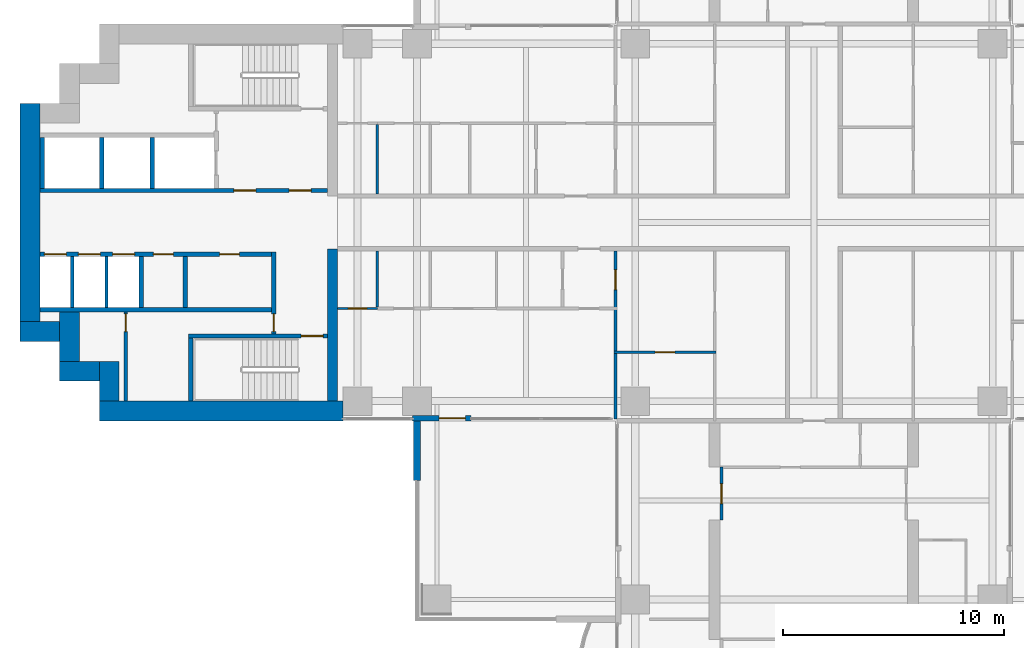
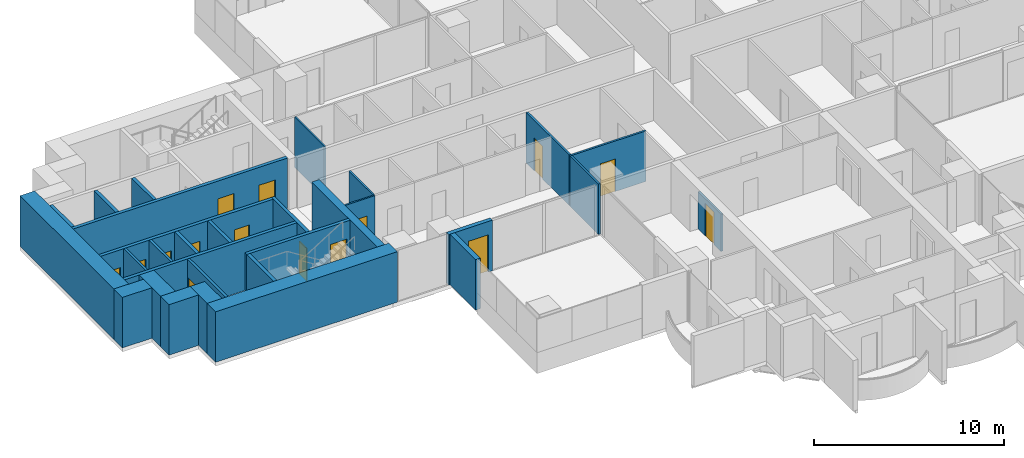
# One storey, part 10 of 20: 29 walls, 15 doors, 15 openings.
"""IFC4 building model written with IfcOpenShell, lengths in metres."""

from ifc_helpers import new_model, si_unit, direction, frame, frame_2d, origin, place, context, subcontext, project, spatial, rectangle, extrude, material, layer, layer_set, type_object, element, fill, save


model = new_model("IFC4")

# Units and contexts
model_context = context("Model", 3, precision=1e-05, world=origin(), true_north=direction((0.0, 1.0)))
body_context = subcontext(model_context, "Body", "Model", "MODEL_VIEW")
ifc_project = project(units=[si_unit("LENGTHUNIT", "METRE"), si_unit("AREAUNIT", "SQUARE_METRE"), si_unit("VOLUMEUNIT", "CUBIC_METRE"), si_unit("PLANEANGLEUNIT", "RADIAN"), si_unit("MASSUNIT", "GRAM", prefix="KILO")], contexts=[model_context])

# Site, building, storey
site_placement = place(None, origin())
site = spatial("IfcSite", under=ifc_project, at=site_placement, CompositionType="ELEMENT")
building_placement = place(site_placement, origin())
building = spatial("IfcBuilding", under=site, at=building_placement, Name="Perihelion Cross Residences", CompositionType="ELEMENT")
storey_placement = place(building_placement, frame((0.0, 0.0, 71.5)))
storey = spatial("IfcBuildingStorey", under=building, at=storey_placement, Name="L15", CompositionType="ELEMENT", Elevation=71.5)

# Wall, opening, door
ifc_material_1 = material(Name="Concrete C30/37, bronze-clad", Category="concrete")
ifc_layer_1 = layer(ifc_material_1, 0.25)
ifc_layer_set_1 = layer_set([ifc_layer_1], Name="Bronze-clad pier wall 250")
wall_type_1 = type_object("IfcWallType", Name="Bronze-clad pier wall 250", PredefinedType="SOLIDWALL", material=ifc_layer_set_1)
wall_1_placement = place(storey_placement, frame((-18.199951171875, -8.875, 0.0), z_axis=(0.0, 0.0, 1.0), x_axis=(1.0, 0.0, 0.0)))
wall_1 = element("IfcWall", 1, at=wall_1_placement, inside=storey, type_object=wall_type_1, Name="Wall FW1 L15 west side south bay 2 pier", PredefinedType="SOLIDWALL", context=body_context, shape_type="SweptSolid", body=[
    extrude(rectangle(XDim=2.64990234375, YDim=0.25, at=frame_2d((1.324951171875, 0.0))), origin(), (0.0, 0.0, 1.0), 3.25),
])
opening_1_placement = place(wall_1_placement, frame((1.199951171875, 0.0, 0.0)))
opening_1 = element("IfcOpeningElement", 2, at=opening_1_placement, cuts=wall_1, Name="Opening L15.E09", PredefinedType="OPENING", context=body_context, shape_type="SweptSolid", body=[
    extrude(rectangle(XDim=1.199951171875, YDim=2.39990234375, at=frame_2d((0.60009765625, 1.199951171875))), frame((0.0, 0.135009765625, 0.0), z_axis=(0.0, -1.0, 0.0), x_axis=(1.0, 0.0, 0.0)), (0.0, 0.0, 1.0), 0.27001953125),
])
ifc_material_2 = material(Name="Bronze anodised aluminium, glazed", Category="aluminium")
door_type_1 = type_object("IfcDoorType", Name="Balcony door 1200 x 2400", OperationType="NOTDEFINED", PredefinedType="DOOR", material=ifc_material_2)
door_1_placement = place(opening_1_placement, origin())
door_1 = element("IfcDoor", 3, at=door_1_placement, inside=storey, type_object=door_type_1, Name="Door L15.E09 west side south bay 2", OperationType="SINGLE_SWING_RIGHT", OverallHeight=2.39990234375, OverallWidth=1.199951171875, PredefinedType="DOOR", context=body_context, shape_type="SweptSolid", body=[
    extrude(rectangle(XDim=1.199951171875, YDim=2.39990234375, at=frame_2d((0.60009765625, 1.199951171875))), frame((0.0, 0.02490234375, 0.0), z_axis=(0.0, -1.0, 0.0), x_axis=(1.0, 0.0, 0.0)), (0.0, 0.0, 1.0), 0.050048828125),
])
fill(opening_1, door_1)

# Walls
ifc_material_3 = material(Name="Concrete C60/75", Category="concrete")
ifc_layer_2 = layer(ifc_material_3, 0.449951171875)
ifc_layer_set_2 = layer_set([ifc_layer_2], Name="Core wall, inner 450")
wall_type_2 = type_object("IfcWallType", Name="Core wall, inner 450", PredefinedType="SHEAR", material=ifc_layer_set_2)
wall_2_placement = place(storey_placement, frame((-21.824951171875, -8.10009765625, 0.0), z_axis=(0.0, 0.0, 1.0), x_axis=(0.0, 1.0, 0.0)))
element("IfcWall", 4, at=wall_2_placement, inside=storey, type_object=wall_type_2, Name="West core core wall, inner", PredefinedType="SHEAR", context=body_context, shape_type="SweptSolid", body=[
    extrude(rectangle(XDim=6.900146484375, YDim=0.449951171875, at=frame_2d((3.4501953125, 0.0))), origin(), (0.0, 0.0, 1.0), 3.25),
])
ifc_material_4 = material(Name="Concrete C60/75", Category="concrete")
ifc_layer_3 = layer(ifc_material_4, 0.89990234375)
ifc_layer_set_3 = layer_set([ifc_layer_3], Name="Core wall, outer 900")
wall_type_3 = type_object("IfcWallType", Name="Core wall, outer 900", PredefinedType="SHEAR", material=ifc_layer_set_3)
wall_3_placement = place(storey_placement, frame((-32.39990234375, -8.550048828125, 0.0), z_axis=(0.0, 0.0, 1.0), x_axis=(1.0, 0.0, 0.0)))
element("IfcWall", 5, at=wall_3_placement, inside=storey, type_object=wall_type_3, Name="West core core wall, outer", PredefinedType="SHEAR", context=body_context, shape_type="SweptSolid", body=[
    extrude(rectangle(XDim=11.0498046875, YDim=0.89990234375, at=frame_2d((5.52490234375, 0.0))), origin(), (0.0, 0.0, 1.0), 3.25),
])
for number, where, z_axis, x_axis, name in (
    (6, (-31.949951171875, -8.10009765625, 0.0), (0.0, 0.0, 1.0), (0.0, 1.0, 0.0), "West core core wall, outer"),
    (7, (-34.199951171875, -6.75, 0.0), (0.0, 0.0, 1.0), (1.0, 0.0, 0.0), "West core core wall, outer"),
):
    element("IfcWall", number, at=place(storey_placement, frame(where, z_axis=z_axis, x_axis=x_axis)), inside=storey, type_object=wall_type_3, Name=name, PredefinedType="SHEAR", context=body_context, shape_type="SweptSolid", body=[
        extrude(rectangle(XDim=1.800048828125, YDim=0.89990234375, at=frame_2d((0.89990234375, 0.0))), origin(), (0.0, 0.0, 1.0), 3.25),
    ])
wall_4_placement = place(storey_placement, frame((-33.75, -6.300048828125, 0.0), z_axis=(0.0, 0.0, 1.0), x_axis=(0.0, 1.0, 0.0)))
element("IfcWall", 8, at=wall_4_placement, inside=storey, type_object=wall_type_3, Name="West core core wall, outer", PredefinedType="SHEAR", context=body_context, shape_type="SweptSolid", body=[
    extrude(rectangle(XDim=2.25, YDim=0.89990234375, at=frame_2d((1.125, 0.0))), origin(), (0.0, 0.0, 1.0), 3.25),
])
wall_5_placement = place(storey_placement, frame((-36.0, -4.949951171875, 0.0), z_axis=(0.0, 0.0, 1.0), x_axis=(1.0, 0.0, 0.0)))
element("IfcWall", 9, at=wall_5_placement, inside=storey, type_object=wall_type_3, Name="West core core wall, outer", PredefinedType="SHEAR", context=body_context, shape_type="SweptSolid", body=[
    extrude(rectangle(XDim=1.800048828125, YDim=0.89990234375, at=frame_2d((0.89990234375, 0.0))), origin(), (0.0, 0.0, 1.0), 3.25),
])
wall_6_placement = place(storey_placement, frame((-35.550048828125, -4.5, 0.0), z_axis=(0.0, 0.0, 1.0), x_axis=(0.0, 1.0, 0.0)))
element("IfcWall", 10, at=wall_6_placement, inside=storey, type_object=wall_type_3, Name="West core core wall, outer", PredefinedType="SHEAR", context=body_context, shape_type="SweptSolid", body=[
    extrude(rectangle(XDim=9.89990234375, YDim=0.89990234375, at=frame_2d((4.949951171875, 0.0))), origin(), (0.0, 0.0, 1.0), 3.25),
])

# Wall, opening, door
ifc_material_5 = material(Name="Plasterboard partition")
ifc_layer_4 = layer(ifc_material_5, 0.1201171875)
ifc_layer_set_4 = layer_set([ifc_layer_4], Name="Infill panel 120")
wall_type_4 = type_object("IfcWallType", Name="Infill panel 120", PredefinedType="PARTITIONING", material=ifc_layer_set_4)
wall_7_placement = place(storey_placement, frame((-4.18994140625, -11.10009765625, 0.0), z_axis=(0.0, 0.0, 1.0), x_axis=(0.0, -1.0, 0.0)))
wall_7 = element("IfcWall", 11, at=wall_7_placement, inside=storey, type_object=wall_type_4, Name="Partition L15 WI07", PredefinedType="PARTITIONING", context=body_context, shape_type="SweptSolid", body=[
    extrude(rectangle(XDim=2.39990234375, YDim=0.1201171875, at=frame_2d((1.199951171875, 0.0))), origin(), (0.0, 0.0, 1.0), 2.39990234375),
])
opening_2_placement = place(wall_7_placement, frame((0.75, 0.0, 0.0)))
opening_2 = element("IfcOpeningElement", 12, at=opening_2_placement, cuts=wall_7, Name="Opening L15.A56", PredefinedType="OPENING", context=body_context, shape_type="SweptSolid", body=[
    extrude(rectangle(XDim=0.89990234375, YDim=2.10009765625, at=frame_2d((0.449951171875, 1.050048828125))), frame((0.0, 0.070068359375, 0.0), z_axis=(0.0, -1.0, 0.0), x_axis=(1.0, 0.0, 0.0)), (0.0, 0.0, 1.0), 0.14013671875),
])
ifc_material_6 = material(Name="Timber door leaf", Category="wood")
door_type_2 = type_object("IfcDoorType", Name="Interior room door 900 x 2100", OperationType="SINGLE_SWING_LEFT", PredefinedType="DOOR", material=ifc_material_6)
door_2_placement = place(opening_2_placement, origin())
door_2 = element("IfcDoor", 13, at=door_2_placement, inside=storey, type_object=door_type_2, Name="Door L15.A56", OperationType="SINGLE_SWING_RIGHT", OverallHeight=2.10009765625, OverallWidth=0.89990234375, PredefinedType="DOOR", context=body_context, shape_type="SweptSolid", body=[
    extrude(rectangle(XDim=0.89990234375, YDim=2.10009765625, at=frame_2d((0.449951171875, 1.050048828125))), frame((0.0, 0.02490234375, 0.0), z_axis=(0.0, -1.0, 0.0), x_axis=(1.0, 0.0, 0.0)), (0.0, 0.0, 1.0), 0.050048828125),
])
fill(opening_2, door_2)

ifc_material_7 = material(Name="Concrete C50/60", Category="concrete")
ifc_layer_5 = layer(ifc_material_7, 0.199951171875)
ifc_layer_set_5 = layer_set([ifc_layer_5], Name="Lobby wall 200")
wall_type_5 = type_object("IfcWallType", Name="Lobby wall 200", PredefinedType="SOLIDWALL", material=ifc_layer_set_5)
wall_8_placement = place(storey_placement, frame((-24.5, -5.050048828125, 0.0), z_axis=(0.0, 0.0, 1.0), x_axis=(0.0, 1.0, 0.0)))
wall_8 = element("IfcWall", 14, at=wall_8_placement, inside=storey, type_object=wall_type_5, Name="West core lobby wall", PredefinedType="SOLIDWALL", context=body_context, shape_type="SweptSolid", body=[
    extrude(rectangle(XDim=3.699951171875, YDim=0.199951171875, at=frame_2d((1.85009765625, 0.0))), origin(), (0.0, 0.0, 1.0), 3.25),
])
opening_3_placement = place(wall_8_placement, frame((0.10009765625, 0.0, 0.0)))
opening_3 = element("IfcOpeningElement", 15, at=opening_3_placement, cuts=wall_8, Name="Opening L15.C21", PredefinedType="OPENING", context=body_context, shape_type="SweptSolid", body=[
    extrude(rectangle(XDim=0.800048828125, YDim=2.10009765625, at=frame_2d((0.39990234375, 1.050048828125))), frame((0.0, 0.10986328125, 0.0), z_axis=(0.0, -1.0, 0.0), x_axis=(1.0, 0.0, 0.0)), (0.0, 0.0, 1.0), 0.219970703125),
])
ifc_material_8 = material(Name="Steel, powder coated", Category="steel")
door_type_3 = type_object("IfcDoorType", Name="Riser door 800", OperationType="SINGLE_SWING_LEFT", PredefinedType="DOOR", material=ifc_material_8)
door_3_placement = place(opening_3_placement, origin())
door_3 = element("IfcDoor", 16, at=door_3_placement, inside=storey, type_object=door_type_3, Name="West core riser door", OperationType="SINGLE_SWING_LEFT", OverallHeight=2.10009765625, OverallWidth=0.800048828125, PredefinedType="DOOR", context=body_context, shape_type="SweptSolid", body=[
    extrude(rectangle(XDim=0.800048828125, YDim=2.10009765625, at=frame_2d((0.39990234375, 1.050048828125))), frame((0.0, 0.02490234375, 0.0), z_axis=(0.0, -1.0, 0.0), x_axis=(1.0, 0.0, 0.0)), (0.0, 0.0, 1.0), 0.050048828125),
])
fill(opening_3, door_3)

ifc_material_9 = material(Name="Plasterboard partition")
ifc_layer_6 = layer(ifc_material_9, 0.1201171875)
ifc_layer_set_6 = layer_set([ifc_layer_6], Name="Partition wall 120")
wall_type_6 = type_object("IfcWallType", Name="Partition wall 120", PredefinedType="PARTITIONING", material=ifc_layer_set_6)
wall_9_placement = place(storey_placement, frame((-9.0, -1.300048828125, 0.0), z_axis=(0.0, 0.0, 1.0), x_axis=(0.0, -1.0, 0.0)))
wall_9 = element("IfcWall", 17, at=wall_9_placement, inside=storey, type_object=wall_type_6, Name="Partition L15 W044", PredefinedType="PARTITIONING", context=body_context, shape_type="SweptSolid", body=[
    extrude(rectangle(XDim=7.619873046875, YDim=0.1201171875, at=frame_2d((3.81005859375, 0.0))), origin(), (0.0, 0.0, 1.0), 3.25),
])
opening_4_placement = place(wall_9_placement, frame((0.85009765625, 0.0, 0.0)))
opening_4 = element("IfcOpeningElement", 18, at=opening_4_placement, cuts=wall_9, Name="Opening L15.A26", PredefinedType="OPENING", context=body_context, shape_type="SweptSolid", body=[
    extrude(rectangle(XDim=0.89990234375, YDim=2.10009765625, at=frame_2d((0.449951171875, 1.050048828125))), frame((0.0, 0.070068359375, 0.0), z_axis=(0.0, -1.0, 0.0), x_axis=(1.0, 0.0, 0.0)), (0.0, 0.0, 1.0), 0.14013671875),
])
door_4_placement = place(opening_4_placement, origin())
door_4 = element("IfcDoor", 19, at=door_4_placement, inside=storey, type_object=door_type_2, Name="Door L15.A26", OperationType="SINGLE_SWING_RIGHT", OverallHeight=2.10009765625, OverallWidth=0.89990234375, PredefinedType="DOOR", context=body_context, shape_type="SweptSolid", body=[
    extrude(rectangle(XDim=0.89990234375, YDim=2.10009765625, at=frame_2d((0.449951171875, 1.050048828125))), frame((0.0, 0.02490234375, 0.0), z_axis=(0.0, -1.0, 0.0), x_axis=(1.0, 0.0, 0.0)), (0.0, 0.0, 1.0), 0.050048828125),
])
fill(opening_4, door_4)

wall_10_placement = place(storey_placement, frame((-4.43994140625, -5.8798828125, 0.0), z_axis=(0.0, 0.0, 1.0), x_axis=(-1.0, 0.0, 0.0)))
wall_10 = element("IfcWall", 20, at=wall_10_placement, inside=storey, type_object=wall_type_6, Name="Partition L15 W051", PredefinedType="PARTITIONING", context=body_context, shape_type="SweptSolid", body=[
    extrude(rectangle(XDim=4.6201171875, YDim=0.1201171875, at=frame_2d((2.31005859375, 0.0))), origin(), (0.0, 0.0, 1.0), 3.25),
])
opening_5_placement = place(wall_10_placement, frame((1.860107421875, 0.0, 0.0)))
opening_5 = element("IfcOpeningElement", 21, at=opening_5_placement, cuts=wall_10, Name="Opening L15.A28", PredefinedType="OPENING", context=body_context, shape_type="SweptSolid", body=[
    extrude(rectangle(XDim=0.89990234375, YDim=2.10009765625, at=frame_2d((0.449951171875, 1.050048828125))), frame((0.0, 0.070068359375, 0.0), z_axis=(0.0, -1.0, 0.0), x_axis=(1.0, 0.0, 0.0)), (0.0, 0.0, 1.0), 0.14013671875),
])
door_5_placement = place(opening_5_placement, origin())
door_5 = element("IfcDoor", 22, at=door_5_placement, inside=storey, type_object=door_type_2, Name="Door L15.A28", OperationType="SINGLE_SWING_RIGHT", OverallHeight=2.10009765625, OverallWidth=0.89990234375, PredefinedType="DOOR", context=body_context, shape_type="SweptSolid", body=[
    extrude(rectangle(XDim=0.89990234375, YDim=2.10009765625, at=frame_2d((0.449951171875, 1.050048828125))), frame((0.0, 0.02490234375, 0.0), z_axis=(0.0, -1.0, 0.0), x_axis=(1.0, 0.0, 0.0)), (0.0, 0.0, 1.0), 0.050048828125),
])
fill(opening_5, door_5)

# Wall
ifc_material_10 = material(Name="Precast concrete C50/60", Category="concrete")
ifc_layer_7 = layer(ifc_material_10, 0.300048828125)
ifc_layer_set_7 = layer_set([ifc_layer_7], Name="Precast concrete C50/60 blade wall 300")
wall_type_7 = type_object("IfcWallType", Name="Precast concrete C50/60 blade wall 300", PredefinedType="SOLIDWALL", material=ifc_layer_set_7)
wall_11_placement = place(storey_placement, frame((-18.0, -8.75, 0.0), z_axis=(0.0, 0.0, 1.0), x_axis=(0.0, -1.0, 0.0)))
element("IfcWall", 23, at=wall_11_placement, inside=storey, type_object=wall_type_7, Name="Wall BL1 L15 no. 1", PredefinedType="SOLIDWALL", context=body_context, shape_type="SweptSolid", body=[
    extrude(rectangle(XDim=2.949951171875, YDim=0.300048828125, at=frame_2d((1.47509765625, 0.0))), origin(), (0.0, 0.0, 1.0), 3.25),
])

# Wall, opening, door
ifc_material_11 = material(Name="Fire-rated board on steel stud", Category="steel")
ifc_layer_8 = layer(ifc_material_11, 0.14990234375)
ifc_layer_set_8 = layer_set([ifc_layer_8], Name="Riser wall 150")
wall_type_8 = type_object("IfcWallType", Name="Riser wall 150", PredefinedType="PARTITIONING", material=ifc_layer_set_8)
wall_12_placement = place(storey_placement, frame((-31.199951171875, -8.10009765625, 0.0), z_axis=(0.0, 0.0, 1.0), x_axis=(0.0, 1.0, 0.0)))
wall_12 = element("IfcWall", 24, at=wall_12_placement, inside=storey, type_object=wall_type_8, Name="West core riser wall", PredefinedType="PARTITIONING", context=body_context, shape_type="SweptSolid", body=[
    extrude(rectangle(XDim=4.050048828125, YDim=0.14990234375, at=frame_2d((2.02490234375, 0.0))), origin(), (0.0, 0.0, 1.0), 3.25),
])
opening_6_placement = place(wall_12_placement, frame((3.14990234375, 0.0, 0.0)))
opening_6 = element("IfcOpeningElement", 25, at=opening_6_placement, cuts=wall_12, Name="Opening L15.C26", PredefinedType="OPENING", context=body_context, shape_type="SweptSolid", body=[
    extrude(rectangle(XDim=0.800048828125, YDim=2.10009765625, at=frame_2d((0.39990234375, 1.050048828125))), frame((0.0, 0.0849609375, 0.0), z_axis=(0.0, -1.0, 0.0), x_axis=(1.0, 0.0, 0.0)), (0.0, 0.0, 1.0), 0.169921875),
])
door_6_placement = place(opening_6_placement, origin())
door_6 = element("IfcDoor", 26, at=door_6_placement, inside=storey, type_object=door_type_3, Name="West core riser door", OperationType="SINGLE_SWING_LEFT", OverallHeight=2.10009765625, OverallWidth=0.800048828125, PredefinedType="DOOR", context=body_context, shape_type="SweptSolid", body=[
    extrude(rectangle(XDim=0.800048828125, YDim=2.10009765625, at=frame_2d((0.39990234375, 1.050048828125))), frame((0.0, 0.02490234375, 0.0), z_axis=(0.0, -1.0, 0.0), x_axis=(1.0, 0.0, 0.0)), (0.0, 0.0, 1.0), 0.050048828125),
])
fill(opening_6, door_6)

# Walls
ifc_material_12 = material(Name="Fire-rated board on steel stud", Category="steel")
ifc_layer_9 = layer(ifc_material_12, 0.199951171875)
ifc_layer_set_9 = layer_set([ifc_layer_9], Name="Riser wall 200")
wall_type_9 = type_object("IfcWallType", Name="Riser wall 200", PredefinedType="PARTITIONING", material=ifc_layer_set_9)
wall_13_placement = place(storey_placement, frame((-28.5, -3.85009765625, 0.0), z_axis=(0.0, 0.0, 1.0), x_axis=(0.0, 1.0, 0.0)))
element("IfcWall", 27, at=wall_13_placement, inside=storey, type_object=wall_type_9, Name="West core riser wall", PredefinedType="PARTITIONING", context=body_context, shape_type="SweptSolid", body=[
    extrude(rectangle(XDim=2.300048828125, YDim=0.199951171875, at=frame_2d((1.14990234375, 0.0))), origin(), (0.0, 0.0, 1.0), 3.25),
])
ifc_material_13 = material(Name="Concrete C50/60", Category="concrete")
ifc_layer_10 = layer(ifc_material_13, 0.14990234375)
ifc_layer_set_10 = layer_set([ifc_layer_10], Name="Shaft wall 150")
wall_type_10 = type_object("IfcWallType", Name="Shaft wall 150", PredefinedType="SOLIDWALL", material=ifc_layer_set_10)
for number, where, z_axis, x_axis, name in (
    (28, (-32.074951171875, -3.85009765625, 0.0), (0.0, 0.0, 1.0), (0.0, 1.0, 0.0), "West core shaft wall"),
    (29, (-33.625, -3.85009765625, 0.0), (0.0, 0.0, 1.0), (0.0, 1.0, 0.0), "West core shaft wall"),
):
    element("IfcWall", number, at=place(storey_placement, frame(where, z_axis=z_axis, x_axis=x_axis)), inside=storey, type_object=wall_type_10, Name=name, PredefinedType="SOLIDWALL", context=body_context, shape_type="SweptSolid", body=[
        extrude(rectangle(XDim=2.300048828125, YDim=0.14990234375, at=frame_2d((1.14990234375, 0.0))), origin(), (0.0, 0.0, 1.0), 3.25),
    ])

# Wall, openings, doors
ifc_material_14 = material(Name="Concrete C50/60", Category="concrete")
ifc_layer_11 = layer(ifc_material_14, 0.199951171875)
ifc_layer_set_11 = layer_set([ifc_layer_11], Name="Shaft wall 200")
wall_type_11 = type_object("IfcWallType", Name="Shaft wall 200", PredefinedType="SOLIDWALL", material=ifc_layer_set_11)
wall_14_placement = place(storey_placement, frame((-35.10009765625, 1.449951171875, 0.0), z_axis=(0.0, 0.0, 1.0), x_axis=(1.0, 0.0, 0.0)))
wall_14 = element("IfcWall", 30, at=wall_14_placement, inside=storey, type_object=wall_type_11, Name="West core shaft wall", PredefinedType="SOLIDWALL", context=body_context, shape_type="SweptSolid", body=[
    extrude(rectangle(XDim=13.050048828125, YDim=0.199951171875, at=frame_2d((6.52490234375, 0.0))), origin(), (0.0, 0.0, 1.0), 3.25),
])
opening_7_placement = place(wall_14_placement, frame((11.300048828125, 0.0, 0.0)))
opening_7 = element("IfcOpeningElement", 31, at=opening_7_placement, cuts=wall_14, Name="Opening L15.C20", PredefinedType="OPENING", context=body_context, shape_type="SweptSolid", body=[
    extrude(rectangle(XDim=1.0, YDim=2.10009765625, at=frame_2d((0.5, 1.050048828125))), frame((0.0, 0.10986328125, 0.0), z_axis=(0.0, -1.0, 0.0), x_axis=(1.0, 0.0, 0.0)), (0.0, 0.0, 1.0), 0.219970703125),
])
opening_8_placement = place(wall_14_placement, frame((8.800048828125, 0.0, 0.0)))
opening_8 = element("IfcOpeningElement", 32, at=opening_8_placement, cuts=wall_14, Name="Opening L15.C22", PredefinedType="OPENING", context=body_context, shape_type="SweptSolid", body=[
    extrude(rectangle(XDim=1.0, YDim=2.10009765625, at=frame_2d((0.5, 1.050048828125))), frame((0.0, 0.10986328125, 0.0), z_axis=(0.0, -1.0, 0.0), x_axis=(1.0, 0.0, 0.0)), (0.0, 0.0, 1.0), 0.219970703125),
])
ifc_material_15 = material(Name="Steel, powder coated", Category="steel")
door_type_4 = type_object("IfcDoorType", Name="Lobby door 1000", OperationType="SINGLE_SWING_LEFT", PredefinedType="DOOR", material=ifc_material_15)
door_7_placement = place(opening_7_placement, origin())
door_7 = element("IfcDoor", 33, at=door_7_placement, inside=storey, type_object=door_type_4, Name="West core firefighting lobby door", OperationType="SINGLE_SWING_LEFT", OverallHeight=2.10009765625, OverallWidth=1.0, PredefinedType="DOOR", context=body_context, shape_type="SweptSolid", body=[
    extrude(rectangle(XDim=1.0, YDim=2.10009765625, at=frame_2d((0.5, 1.050048828125))), frame((0.0, 0.02490234375, 0.0), z_axis=(0.0, -1.0, 0.0), x_axis=(1.0, 0.0, 0.0)), (0.0, 0.0, 1.0), 0.050048828125),
])
fill(opening_7, door_7)
door_8_placement = place(opening_8_placement, origin())
door_8 = element("IfcDoor", 34, at=door_8_placement, inside=storey, type_object=door_type_4, Name="West core firefighting lobby door", OperationType="SINGLE_SWING_LEFT", OverallHeight=2.10009765625, OverallWidth=1.0, PredefinedType="DOOR", context=body_context, shape_type="SweptSolid", body=[
    extrude(rectangle(XDim=1.0, YDim=2.10009765625, at=frame_2d((0.5, 1.050048828125))), frame((0.0, 0.02490234375, 0.0), z_axis=(0.0, -1.0, 0.0), x_axis=(1.0, 0.0, 0.0)), (0.0, 0.0, 1.0), 0.050048828125),
])
fill(opening_8, door_8)

wall_15_placement = place(storey_placement, frame((-35.10009765625, -1.449951171875, 0.0), z_axis=(0.0, 0.0, 1.0), x_axis=(1.0, 0.0, 0.0)))
wall_15 = element("IfcWall", 35, at=wall_15_placement, inside=storey, type_object=wall_type_11, Name="West core shaft wall", PredefinedType="SOLIDWALL", context=body_context, shape_type="SweptSolid", body=[
    extrude(rectangle(XDim=10.5, YDim=0.199951171875, at=frame_2d((5.25, 0.0))), origin(), (0.0, 0.0, 1.0), 3.25),
])
opening_9_placement = place(wall_15_placement, frame((3.300048828125, 0.0, 0.0)))
opening_9 = element("IfcOpeningElement", 36, at=opening_9_placement, cuts=wall_15, Name="Opening L15.C15", PredefinedType="OPENING", context=body_context, shape_type="SweptSolid", body=[
    extrude(rectangle(XDim=1.0, YDim=2.10009765625, at=frame_2d((0.5, 1.050048828125))), frame((0.0, 0.10986328125, 0.0), z_axis=(0.0, -1.0, 0.0), x_axis=(1.0, 0.0, 0.0)), (0.0, 0.0, 1.0), 0.219970703125),
])
opening_10_placement = place(wall_15_placement, frame((1.75, 0.0, 0.0)))
opening_10 = element("IfcOpeningElement", 37, at=opening_10_placement, cuts=wall_15, Name="Opening L15.C16", PredefinedType="OPENING", context=body_context, shape_type="SweptSolid", body=[
    extrude(rectangle(XDim=1.0, YDim=2.10009765625, at=frame_2d((0.5, 1.050048828125))), frame((0.0, 0.10986328125, 0.0), z_axis=(0.0, -1.0, 0.0), x_axis=(1.0, 0.0, 0.0)), (0.0, 0.0, 1.0), 0.219970703125),
])
opening_11_placement = place(wall_15_placement, frame((0.199951171875, 0.0, 0.0)))
opening_11 = element("IfcOpeningElement", 38, at=opening_11_placement, cuts=wall_15, Name="Opening L15.C17", PredefinedType="OPENING", context=body_context, shape_type="SweptSolid", body=[
    extrude(rectangle(XDim=1.0, YDim=2.10009765625, at=frame_2d((0.5, 1.050048828125))), frame((0.0, 0.10986328125, 0.0), z_axis=(0.0, -1.0, 0.0), x_axis=(1.0, 0.0, 0.0)), (0.0, 0.0, 1.0), 0.219970703125),
])
opening_12_placement = place(wall_15_placement, frame((8.14990234375, 0.0, 0.0)))
opening_12 = element("IfcOpeningElement", 39, at=opening_12_placement, cuts=wall_15, Name="Opening L15.C23", PredefinedType="OPENING", context=body_context, shape_type="SweptSolid", body=[
    extrude(rectangle(XDim=0.89990234375, YDim=2.10009765625, at=frame_2d((0.449951171875, 1.050048828125))), frame((0.0, 0.10986328125, 0.0), z_axis=(0.0, -1.0, 0.0), x_axis=(1.0, 0.0, 0.0)), (0.0, 0.0, 1.0), 0.219970703125),
])
opening_13_placement = place(wall_15_placement, frame((5.14990234375, 0.0, 0.0)))
opening_13 = element("IfcOpeningElement", 40, at=opening_13_placement, cuts=wall_15, Name="Opening L15.C25", PredefinedType="OPENING", context=body_context, shape_type="SweptSolid", body=[
    extrude(rectangle(XDim=0.89990234375, YDim=2.10009765625, at=frame_2d((0.449951171875, 1.050048828125))), frame((0.0, 0.10986328125, 0.0), z_axis=(0.0, -1.0, 0.0), x_axis=(1.0, 0.0, 0.0)), (0.0, 0.0, 1.0), 0.219970703125),
])
ifc_material_16 = material(Name="Stainless steel", Category="steel")
door_type_5 = type_object("IfcDoorType", Name="Landing door 1000", OperationType="DOUBLE_DOOR_SLIDING", PredefinedType="DOOR", material=ifc_material_16)
door_9_placement = place(opening_9_placement, origin())
door_9 = element("IfcDoor", 41, at=door_9_placement, inside=storey, type_object=door_type_5, Name="Landing door, West core low-rise lift 1", OperationType="DOUBLE_DOOR_SLIDING", OverallHeight=2.10009765625, OverallWidth=1.0, PredefinedType="DOOR", context=body_context, shape_type="SweptSolid", body=[
    extrude(rectangle(XDim=1.0, YDim=2.10009765625, at=frame_2d((0.5, 1.050048828125))), frame((0.0, 0.02490234375, 0.0), z_axis=(0.0, -1.0, 0.0), x_axis=(1.0, 0.0, 0.0)), (0.0, 0.0, 1.0), 0.050048828125),
])
fill(opening_9, door_9)
door_10_placement = place(opening_10_placement, origin())
door_10 = element("IfcDoor", 42, at=door_10_placement, inside=storey, type_object=door_type_5, Name="Landing door, West core low-rise lift 2", OperationType="DOUBLE_DOOR_SLIDING", OverallHeight=2.10009765625, OverallWidth=1.0, PredefinedType="DOOR", context=body_context, shape_type="SweptSolid", body=[
    extrude(rectangle(XDim=1.0, YDim=2.10009765625, at=frame_2d((0.5, 1.050048828125))), frame((0.0, 0.02490234375, 0.0), z_axis=(0.0, -1.0, 0.0), x_axis=(1.0, 0.0, 0.0)), (0.0, 0.0, 1.0), 0.050048828125),
])
fill(opening_10, door_10)
door_11_placement = place(opening_11_placement, origin())
door_11 = element("IfcDoor", 43, at=door_11_placement, inside=storey, type_object=door_type_5, Name="Landing door, West core low-rise lift 3", OperationType="DOUBLE_DOOR_SLIDING", OverallHeight=2.10009765625, OverallWidth=1.0, PredefinedType="DOOR", context=body_context, shape_type="SweptSolid", body=[
    extrude(rectangle(XDim=1.0, YDim=2.10009765625, at=frame_2d((0.5, 1.050048828125))), frame((0.0, 0.02490234375, 0.0), z_axis=(0.0, -1.0, 0.0), x_axis=(1.0, 0.0, 0.0)), (0.0, 0.0, 1.0), 0.050048828125),
])
fill(opening_11, door_11)
ifc_material_17 = material(Name="Steel, powder coated", Category="steel")
door_type_6 = type_object("IfcDoorType", Name="Service room door 900", OperationType="SINGLE_SWING_LEFT", PredefinedType="DOOR", material=ifc_material_17)
door_12_placement = place(opening_12_placement, origin())
door_12 = element("IfcDoor", 44, at=door_12_placement, inside=storey, type_object=door_type_6, Name="West core service room door", OperationType="SINGLE_SWING_LEFT", OverallHeight=2.10009765625, OverallWidth=0.89990234375, PredefinedType="DOOR", context=body_context, shape_type="SweptSolid", body=[
    extrude(rectangle(XDim=0.89990234375, YDim=2.10009765625, at=frame_2d((0.449951171875, 1.050048828125))), frame((0.0, 0.02490234375, 0.0), z_axis=(0.0, -1.0, 0.0), x_axis=(1.0, 0.0, 0.0)), (0.0, 0.0, 1.0), 0.050048828125),
])
fill(opening_12, door_12)
door_13_placement = place(opening_13_placement, origin())
door_13 = element("IfcDoor", 45, at=door_13_placement, inside=storey, type_object=door_type_6, Name="West core service room door", OperationType="SINGLE_SWING_LEFT", OverallHeight=2.10009765625, OverallWidth=0.89990234375, PredefinedType="DOOR", context=body_context, shape_type="SweptSolid", body=[
    extrude(rectangle(XDim=0.89990234375, YDim=2.10009765625, at=frame_2d((0.449951171875, 1.050048828125))), frame((0.0, 0.02490234375, 0.0), z_axis=(0.0, -1.0, 0.0), x_axis=(1.0, 0.0, 0.0)), (0.0, 0.0, 1.0), 0.050048828125),
])
fill(opening_13, door_13)

# Walls
wall_16_placement = place(storey_placement, frame((-35.10009765625, -3.949951171875, 0.0), z_axis=(0.0, 0.0, 1.0), x_axis=(1.0, 0.0, 0.0)))
element("IfcWall", 46, at=wall_16_placement, inside=storey, type_object=wall_type_11, Name="West core shaft wall", PredefinedType="SOLIDWALL", context=body_context, shape_type="SweptSolid", body=[
    extrude(rectangle(XDim=10.5, YDim=0.199951171875, at=frame_2d((5.25, 0.0))), origin(), (0.0, 0.0, 1.0), 3.25),
])
for number, where, z_axis, x_axis, name in (
    (47, (-30.0, 1.550048828125, 0.0), (0.0, 0.0, 1.0), (0.0, 1.0, 0.0), "West core shaft wall"),
    (48, (-32.300048828125, 1.550048828125, 0.0), (0.0, 0.0, 1.0), (0.0, 1.0, 0.0), "West core shaft wall"),
    (49, (-35.0, 1.550048828125, 0.0), (0.0, 0.0, 1.0), (0.0, 1.0, 0.0), "West core shaft wall"),
    (50, (-30.5, -3.85009765625, 0.0), (0.0, 0.0, 1.0), (0.0, 1.0, 0.0), "West core shaft wall"),
):
    element("IfcWall", number, at=place(storey_placement, frame(where, z_axis=z_axis, x_axis=x_axis)), inside=storey, type_object=wall_type_11, Name=name, PredefinedType="SOLIDWALL", context=body_context, shape_type="SweptSolid", body=[
        extrude(rectangle(XDim=2.300048828125, YDim=0.199951171875, at=frame_2d((1.14990234375, 0.0))), origin(), (0.0, 0.0, 1.0), 3.25),
    ])

# Wall, opening, door
ifc_material_18 = material(Name="Concrete C50/60", Category="concrete")
ifc_layer_12 = layer(ifc_material_18, 0.199951171875)
ifc_layer_set_12 = layer_set([ifc_layer_12], Name="Stair wall 200")
wall_type_12 = type_object("IfcWallType", Name="Stair wall 200", PredefinedType="SOLIDWALL", material=ifc_layer_set_12)
wall_17_placement = place(storey_placement, frame((-28.35009765625, -5.14990234375, 0.0), z_axis=(0.0, 0.0, 1.0), x_axis=(1.0, 0.0, 0.0)))
wall_17 = element("IfcWall", 51, at=wall_17_placement, inside=storey, type_object=wall_type_12, Name="West core stair wall", PredefinedType="SOLIDWALL", context=body_context, shape_type="SweptSolid", body=[
    extrude(rectangle(XDim=6.300048828125, YDim=0.199951171875, at=frame_2d((3.14990234375, 0.0))), origin(), (0.0, 0.0, 1.0), 3.25),
])
opening_14_placement = place(wall_17_placement, frame((5.10009765625, 0.0, 0.0)))
opening_14 = element("IfcOpeningElement", 52, at=opening_14_placement, cuts=wall_17, Name="Opening L15.C18", PredefinedType="OPENING", context=body_context, shape_type="SweptSolid", body=[
    extrude(rectangle(XDim=1.0, YDim=2.10009765625, at=frame_2d((0.5, 1.050048828125))), frame((0.0, 0.10986328125, 0.0), z_axis=(0.0, -1.0, 0.0), x_axis=(1.0, 0.0, 0.0)), (0.0, 0.0, 1.0), 0.219970703125),
])
ifc_material_19 = material(Name="Steel, powder coated", Category="steel")
door_type_7 = type_object("IfcDoorType", Name="Stair door 1000", OperationType="SINGLE_SWING_LEFT", PredefinedType="DOOR", material=ifc_material_19)
door_14_placement = place(opening_14_placement, origin())
door_14 = element("IfcDoor", 53, at=door_14_placement, inside=storey, type_object=door_type_7, Name="West core stair door", OperationType="SINGLE_SWING_LEFT", OverallHeight=2.10009765625, OverallWidth=1.0, PredefinedType="DOOR", context=body_context, shape_type="SweptSolid", body=[
    extrude(rectangle(XDim=1.0, YDim=2.10009765625, at=frame_2d((0.5, 1.050048828125))), frame((0.0, 0.02490234375, 0.0), z_axis=(0.0, -1.0, 0.0), x_axis=(1.0, 0.0, 0.0)), (0.0, 0.0, 1.0), 0.050048828125),
])
fill(opening_14, door_14)

# Walls
wall_18_placement = place(storey_placement, frame((-28.25, -8.10009765625, 0.0), z_axis=(0.0, 0.0, 1.0), x_axis=(0.0, 1.0, 0.0)))
element("IfcWall", 54, at=wall_18_placement, inside=storey, type_object=wall_type_12, Name="West core stair wall", PredefinedType="SOLIDWALL", context=body_context, shape_type="SweptSolid", body=[
    extrude(rectangle(XDim=2.85009765625, YDim=0.199951171875, at=frame_2d((1.425048828125, 0.0))), origin(), (0.0, 0.0, 1.0), 3.25),
])
ifc_material_20 = material(Name="Plasterboard partition")
ifc_layer_13 = layer(ifc_material_20, 0.10009765625)
ifc_layer_set_13 = layer_set([ifc_layer_13], Name="Wet room wall 100")
wall_type_13 = type_object("IfcWallType", Name="Wet room wall 100", PredefinedType="PARTITIONING", material=ifc_layer_set_13)
wall_19_placement = place(storey_placement, frame((-19.800048828125, 1.300048828125, 0.0), z_axis=(0.0, 0.0, 1.0), x_axis=(0.0, 1.0, 0.0)))
element("IfcWall", 55, at=wall_19_placement, inside=storey, type_object=wall_type_13, Name="Partition L15 W036", PredefinedType="PARTITIONING", context=body_context, shape_type="SweptSolid", body=[
    extrude(rectangle(XDim=3.139892578125, YDim=0.10009765625, at=frame_2d((1.56982421875, 0.0))), origin(), (0.0, 0.0, 1.0), 3.25),
])
wall_20_placement = place(storey_placement, frame((-19.800048828125, -3.840087890625, 0.0), z_axis=(0.0, 0.0, 1.0), x_axis=(0.0, 1.0, 0.0)))
element("IfcWall", 56, at=wall_20_placement, inside=storey, type_object=wall_type_13, Name="Partition L15 W048", PredefinedType="PARTITIONING", context=body_context, shape_type="SweptSolid", body=[
    extrude(rectangle(XDim=2.5400390625, YDim=0.10009765625, at=frame_2d((1.27001953125, 0.0))), origin(), (0.0, 0.0, 1.0), 3.25),
])

# Wall, opening, door
wall_21_placement = place(storey_placement, frame((-19.800048828125, -3.89990234375, 0.0), z_axis=(0.0, 0.0, 1.0), x_axis=(-1.0, 0.0, 0.0)))
wall_21 = element("IfcWall", 57, at=wall_21_placement, inside=storey, type_object=wall_type_13, Name="Partition L15 W050", PredefinedType="PARTITIONING", context=body_context, shape_type="SweptSolid", body=[
    extrude(rectangle(XDim=1.800048828125, YDim=0.10009765625, at=frame_2d((0.89990234375, 0.0))), origin(), (0.0, 0.0, 1.0), 3.25),
])
opening_15_placement = place(wall_21_placement, frame((0.47509765625, 0.0, 0.0)))
opening_15 = element("IfcOpeningElement", 58, at=opening_15_placement, cuts=wall_21, Name="Opening L15.A29", PredefinedType="OPENING", context=body_context, shape_type="SweptSolid", body=[
    extrude(rectangle(XDim=0.85009765625, YDim=2.10009765625, at=frame_2d((0.425048828125, 1.050048828125))), frame((0.0, 0.06005859375, 0.0), z_axis=(0.0, -1.0, 0.0), x_axis=(1.0, 0.0, 0.0)), (0.0, 0.0, 1.0), 0.1201171875),
])
ifc_material_21 = material(Name="Timber door leaf", Category="wood")
door_type_8 = type_object("IfcDoorType", Name="Interior bathroom door 850 x 2100", OperationType="SINGLE_SWING_LEFT", PredefinedType="DOOR", material=ifc_material_21)
door_15_placement = place(opening_15_placement, origin())
door_15 = element("IfcDoor", 59, at=door_15_placement, inside=storey, type_object=door_type_8, Name="Door L15.A29", OperationType="SINGLE_SWING_RIGHT", OverallHeight=2.10009765625, OverallWidth=0.85009765625, PredefinedType="DOOR", context=body_context, shape_type="SweptSolid", body=[
    extrude(rectangle(XDim=0.85009765625, YDim=2.10009765625, at=frame_2d((0.425048828125, 1.050048828125))), frame((0.0, 0.02490234375, 0.0), z_axis=(0.0, -1.0, 0.0), x_axis=(1.0, 0.0, 0.0)), (0.0, 0.0, 1.0), 0.050048828125),
])
fill(opening_15, door_15)

save(model, "model.ifc")
